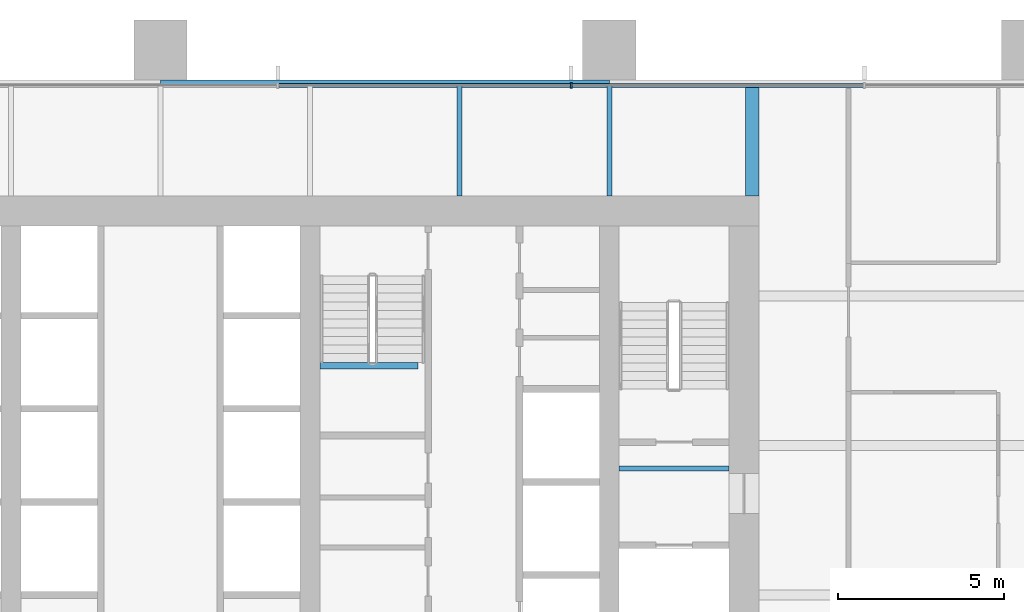
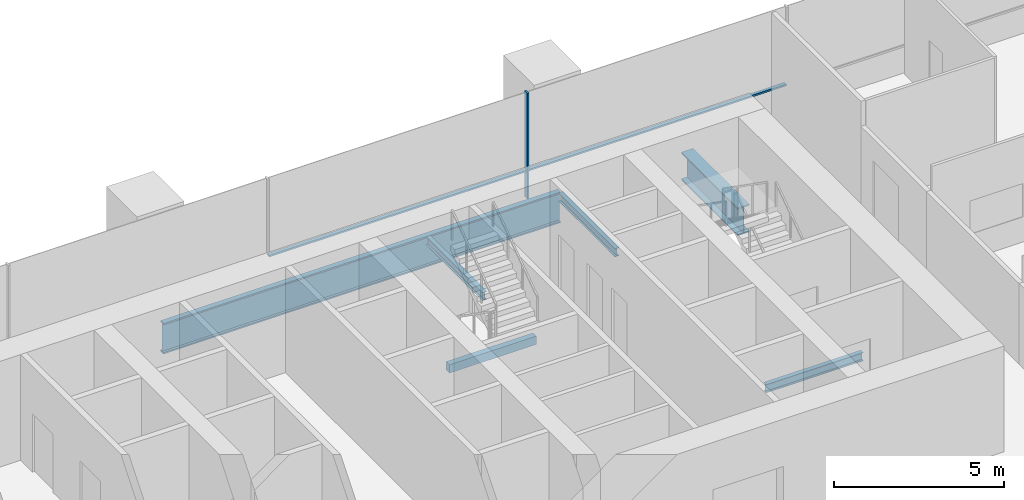
# One storey, part 9 of 17: 6 beams, 3 members, 1 element without a shape of its own.
"""IFC4 building model written with IfcOpenShell, lengths in metres."""

from ifc_helpers import new_model, si_unit, direction, frame, origin, origin_2d, place, context, subcontext, project, spatial, rectangle, i_section, extrude, material, material_profile, profile_set, type_object, element, aggregate, save


model = new_model("IFC4")

# Units and contexts
model_context = context("Model", 3, precision=1e-05, world=origin(), true_north=direction((0.0, 1.0)))
body_context = subcontext(model_context, "Body", "Model", "MODEL_VIEW")
ifc_project = project(units=[si_unit("LENGTHUNIT", "METRE"), si_unit("AREAUNIT", "SQUARE_METRE"), si_unit("VOLUMEUNIT", "CUBIC_METRE"), si_unit("PLANEANGLEUNIT", "RADIAN"), si_unit("MASSUNIT", "GRAM", prefix="KILO")], contexts=[model_context])

# Site, building, storey
site_placement = place(None, origin())
site = spatial("IfcSite", under=ifc_project, at=site_placement, CompositionType="ELEMENT")
building_placement = place(site_placement, origin())
building = spatial("IfcBuilding", under=site, at=building_placement, Name="Rattan Terrace Tower", CompositionType="ELEMENT")
storey_placement = place(building_placement, frame((0.0, 0.0, 95.699951171875)))
storey = spatial("IfcBuildingStorey", under=building, at=storey_placement, Name="L21", CompositionType="ELEMENT", Elevation=95.699951171875)

# Beam
ifc_material_1 = material(Name="Concrete C40/50", Category="concrete")
ifc_material_profile_1 = material_profile(ifc_material_1, rectangle(XDim=0.199951171875, YDim=0.300048828125, at=origin_2d()), Name="RC 200x300")
ifc_profile_set_1 = profile_set([ifc_material_profile_1], Name="Concrete C40/50")
beam_type_1 = type_object("IfcBeamType", Name="Core landing beam RC 200x300", PredefinedType="BEAM", material=ifc_profile_set_1)
beam_1_placement = place(storey_placement, frame((4.800048828125, 2.39990234375, 1.650146484375), z_axis=(1.0, 0.0, 0.0), x_axis=(0.0, 1.0, 0.0)))
element("IfcBeam", 1, at=beam_1_placement, inside=storey, type_object=beam_type_1, Name="st-S3-L21 landing 1 edge beam", PredefinedType="BEAM", context=body_context, shape_type="SweptSolid", body=[
    extrude(rectangle(XDim=0.199951171875, YDim=0.300048828125, at=origin_2d()), origin(), (0.0, 0.0, 1.0), 2.949951171875),
])

# Curtain wall, members
ifc_material_2 = material(Name="Aluminium and glass", Category="aluminium")
curtain_wall_type = type_object("IfcCurtainWallType", Name="Facade Unitised Curtain Wall", PredefinedType="NOTDEFINED", material=ifc_material_2)
curtain_wall_placement = place(storey_placement, origin())
curtain_wall = element("IfcCurtainWall", 2, at=curtain_wall_placement, inside=storey, type_object=curtain_wall_type, Name="Curtain wall L21-2", PredefinedType="NOTDEFINED")
ifc_material_3 = material(Name="Aluminium", Category="aluminium")
ifc_material_profile_2 = material_profile(ifc_material_3, rectangle(XDim=0.06005859375, YDim=0.159912109375, at=origin_2d()), Name="Aluminium 60x160")
ifc_profile_set_2 = profile_set([ifc_material_profile_2], Name="Aluminium")
member_type_1 = type_object("IfcMemberType", Name="Facade CW Mullion 60x160", PredefinedType="MULLION", material=ifc_profile_set_2)
member_1_placement = place(storey_placement, frame((12.35400390625, 10.830078125, 0.0), z_axis=(0.0, 0.0, 1.0), x_axis=(-1.0, 0.0, 0.0)))
member_1 = element("IfcMember", 3, at=member_1_placement, type_object=member_type_1, Name="Mullion cwl-L21-002.3", PredefinedType="MULLION", context=body_context, shape_type="SweptSolid", body=[
    extrude(rectangle(XDim=0.06005859375, YDim=0.159912109375, at=origin_2d()), origin(), (0.0, 0.0, 1.0), 3.800048828125),
])
ifc_material_4 = material(Name="Aluminium", Category="aluminium")
ifc_material_profile_3 = material_profile(ifc_material_4, rectangle(XDim=0.1201171875, YDim=0.06005859375, at=origin_2d()), Name="Aluminium 120x60")
ifc_profile_set_3 = profile_set([ifc_material_profile_3], Name="Aluminium")
member_type_2 = type_object("IfcMemberType", Name="Facade CW Transom 120x60", PredefinedType="USERDEFINED", material=ifc_profile_set_3)
member_2_placement = place(storey_placement, frame((21.14697265625, 10.830078125, 1.0), z_axis=(-1.0, 0.0, 0.0), x_axis=(0.0, -1.0, 0.0)))
member_2 = element("IfcMember", 4, at=member_2_placement, type_object=member_type_2, Name="Transom cwl-L21-002.2", ObjectType="TRANSOM", PredefinedType="USERDEFINED", context=body_context, shape_type="SweptSolid", body=[
    extrude(rectangle(XDim=0.1201171875, YDim=0.06005859375, at=origin_2d()), origin(), (0.0, 0.0, 1.0), 8.762939453125),
])
member_3_placement = place(storey_placement, frame((12.323974609375, 10.830078125, 1.0), z_axis=(-1.0, 0.0, 0.0), x_axis=(0.0, -1.0, 0.0)))
member_3 = element("IfcMember", 5, at=member_3_placement, type_object=member_type_2, Name="Transom cwl-L21-002.3", ObjectType="TRANSOM", PredefinedType="USERDEFINED", context=body_context, shape_type="SweptSolid", body=[
    extrude(rectangle(XDim=0.1201171875, YDim=0.06005859375, at=origin_2d()), origin(), (0.0, 0.0, 1.0), 8.762939453125),
])
aggregate(curtain_wall, [member_1, member_2, member_3])

# Beams
ifc_material_5 = material(Name="Steel S460", Category="steel")
ifc_material_profile_4 = material_profile(ifc_material_5, i_section(OverallWidth=0.39990234375, OverallDepth=1.0, WebThickness=0.01806640625, FlangeThickness=0.044921875, at=origin_2d()), Name="PG 1000x400-18-45")
ifc_profile_set_4 = profile_set([ifc_material_profile_4], Name="Steel S460")
beam_type_2 = type_object("IfcBeamType", Name="Frame core girder PG 1000x400-18-45", PredefinedType="BEAM", material=ifc_profile_set_4)
beam_2_placement = place(storey_placement, frame((17.800048828125, 7.5, -0.699951171875), z_axis=(0.0, 1.0, 0.0), x_axis=(-1.0, 0.0, 0.0)))
element("IfcBeam", 6, at=beam_2_placement, inside=storey, type_object=beam_type_2, Name="gdr-L21-010", PredefinedType="BEAM", context=body_context, shape_type="SweptSolid", body=[
    extrude(i_section(OverallWidth=0.39990234375, OverallDepth=1.0, WebThickness=0.01806640625, FlangeThickness=0.044921875, at=origin_2d()), origin(), (0.0, 0.0, 1.0), 3.320068359375),
])
ifc_material_6 = material(Name="Steel S460", Category="steel")
ifc_material_profile_5 = material_profile(ifc_material_6, i_section(OverallWidth=0.179931640625, OverallDepth=1.10009765625, WebThickness=0.01611328125, FlangeThickness=0.050048828125, at=origin_2d()), Name="PG 1100x180-16-50")
ifc_profile_set_5 = profile_set([ifc_material_profile_5], Name="Steel S460")
beam_type_3 = type_object("IfcBeamType", Name="Frame edge girder PG 1100x180-16-50", PredefinedType="SPANDREL", material=ifc_profile_set_5)
beam_3_placement = place(storey_placement, frame((13.5, 10.909912109375, -0.75), z_axis=(-1.0, 0.0, 0.0), x_axis=(0.0, -1.0, 0.0)))
element("IfcBeam", 7, at=beam_3_placement, inside=storey, type_object=beam_type_3, Name="gdr-L21-007", PredefinedType="SPANDREL", context=body_context, shape_type="SweptSolid", body=[
    extrude(i_section(OverallWidth=0.179931640625, OverallDepth=1.10009765625, WebThickness=0.01611328125, FlangeThickness=0.050048828125, at=origin_2d()), origin(), (0.0, 0.0, 1.0), 13.5),
])
ifc_material_7 = material(Name="Steel S355", Category="steel")
ifc_material_profile_6 = material_profile(ifc_material_7, i_section(OverallWidth=0.14990234375, OverallDepth=0.300048828125, WebThickness=0.007080078125, FlangeThickness=0.0107421875, FilletRadius=0.014892578125, at=origin_2d()), Name="IPE 300")
ifc_profile_set_6 = profile_set([ifc_material_profile_6], Name="Steel S355")
beam_type_4 = type_object("IfcBeamType", Name="Frame floor beam IPE 300", PredefinedType="JOIST", material=ifc_profile_set_6)
beam_4_placement = place(storey_placement, frame((13.800048828125, -0.695068359375, -0.349853515625), z_axis=(1.0, 0.0, 0.0), x_axis=(0.0, 1.0, 0.0)))
element("IfcBeam", 8, at=beam_4_placement, inside=storey, type_object=beam_type_4, Name="bm-L21-002", PredefinedType="JOIST", context=body_context, shape_type="SweptSolid", body=[
    extrude(i_section(OverallWidth=0.14990234375, OverallDepth=0.300048828125, WebThickness=0.007080078125, FlangeThickness=0.0107421875, FilletRadius=0.014892578125, at=origin_2d()), origin(), (0.0, 0.0, 1.0), 3.300048828125),
])
for number, where, z_axis, x_axis, name in (
    (9, (9.0, 7.5, -0.349853515625), (0.0, 1.0, 0.0), (-1.0, 0.0, 0.0), "bm-L21-023"),
    (10, (13.5, 7.5, -0.349853515625), (0.0, 1.0, 0.0), (-1.0, 0.0, 0.0), "bm-L21-024"),
):
    element("IfcBeam", number, at=place(storey_placement, frame(where, z_axis=z_axis, x_axis=x_axis)), inside=storey, type_object=beam_type_4, Name=name, PredefinedType="JOIST", context=body_context, shape_type="SweptSolid", body=[
        extrude(i_section(OverallWidth=0.14990234375, OverallDepth=0.300048828125, WebThickness=0.007080078125, FlangeThickness=0.0107421875, FilletRadius=0.014892578125, at=origin_2d()), origin(), (0.0, 0.0, 1.0), 3.320068359375),
    ])

save(model, "model.ifc")
